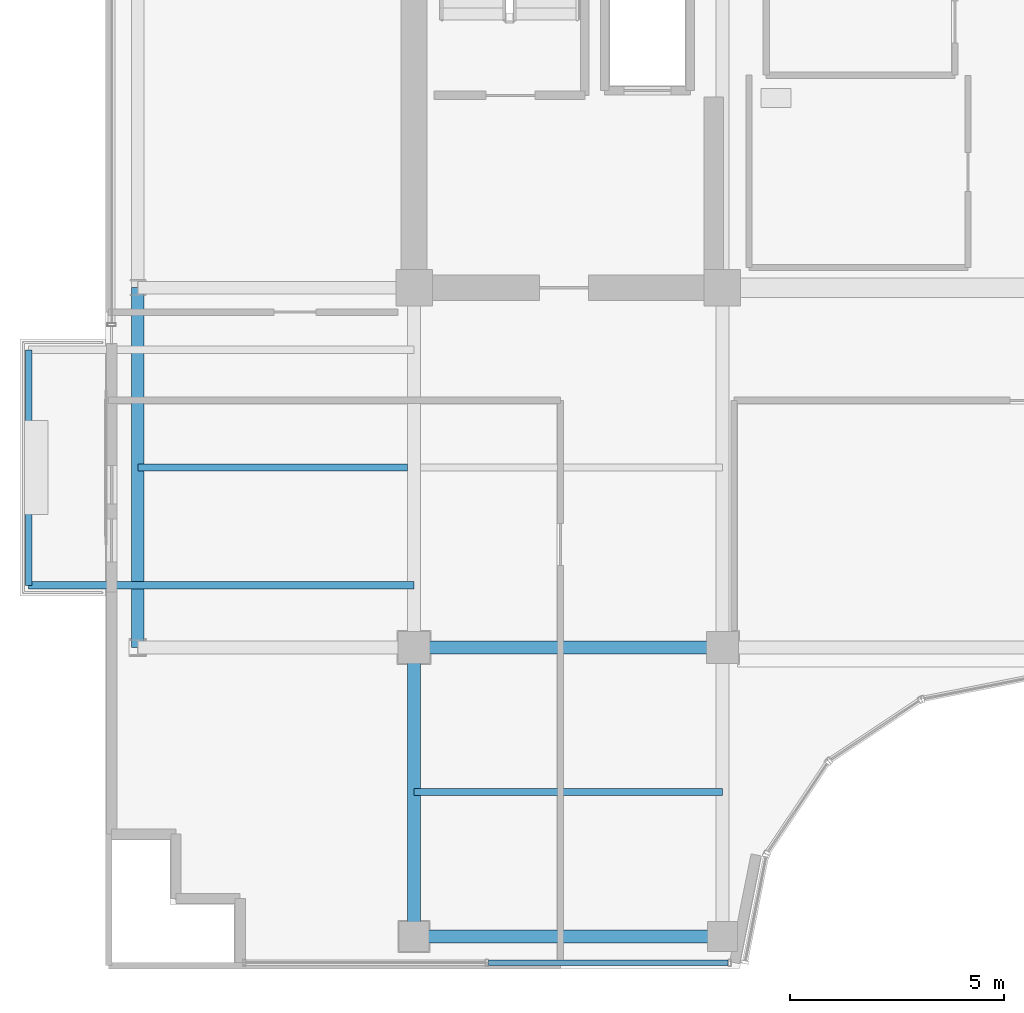
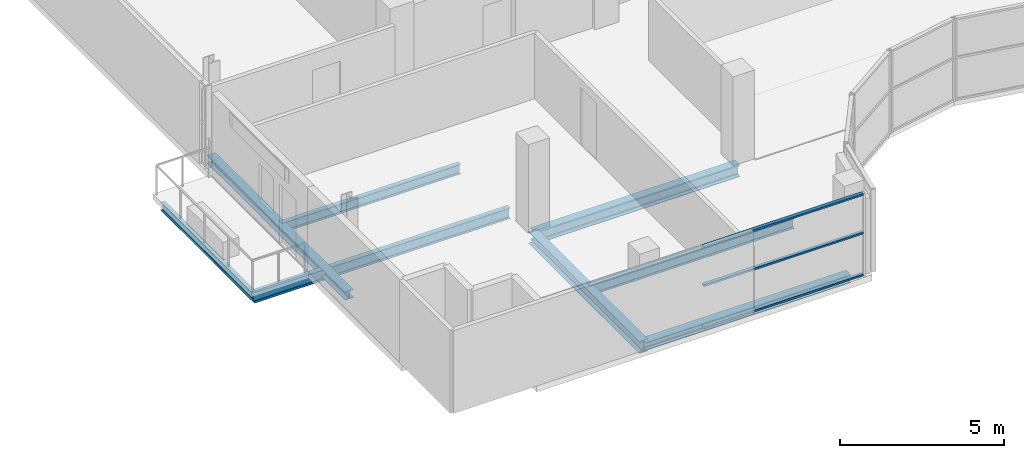
# One storey, part 3 of 28: 8 beams, 3 members, 1 element without a shape of its own.
"""IFC4 building model written with IfcOpenShell, lengths in metres."""

from ifc_helpers import new_model, si_unit, direction, frame, origin, origin_2d, place, context, subcontext, project, spatial, hollow_rectangle, i_section, extrude, source, transform, mapped, material, layer, layer_set, material_profile, profile_set, type_object, element, aggregate, save


model = new_model("IFC4")

# Units and contexts
model_context = context("Model", 3, precision=1e-05, world=origin(), true_north=direction((0.0, 1.0)))
body_context = subcontext(model_context, "Body", "Model", "MODEL_VIEW")
ifc_project = project(units=[si_unit("LENGTHUNIT", "METRE"), si_unit("AREAUNIT", "SQUARE_METRE"), si_unit("VOLUMEUNIT", "CUBIC_METRE"), si_unit("PLANEANGLEUNIT", "RADIAN"), si_unit("MASSUNIT", "GRAM", prefix="KILO")], contexts=[model_context])

# Site, building, storey
site_placement = place(None, origin())
site = spatial("IfcSite", under=ifc_project, at=site_placement, CompositionType="ELEMENT")
building_placement = place(site_placement, origin())
building = spatial("IfcBuilding", under=site, at=building_placement, Name="Zarnakvel Exchange Tower", CompositionType="ELEMENT")
storey_placement = place(building_placement, frame((0.0, 0.0, 268.300048828125)))
storey = spatial("IfcBuildingStorey", under=building, at=storey_placement, Name="L76", CompositionType="ELEMENT", Elevation=268.300048828125)

# Beams
ifc_material_1 = material(Name="Steel S355", Category="steel")
ifc_material_profile_1 = material_profile(ifc_material_1, i_section(OverallWidth=0.179931640625, OverallDepth=0.39990234375, WebThickness=0.008544921875, FlangeThickness=0.013427734375, FilletRadius=0.02099609375, at=origin_2d()))
ifc_profile_set_1 = profile_set([ifc_material_profile_1], Name="Steel S355")
beam_type_1 = type_object("IfcBeamType", Name="B-06", PredefinedType="JOIST", material=ifc_profile_set_1)
beam_1_placement = place(storey_placement, frame((-14.39990234375, -8.14990234375, -0.425048828125), z_axis=(-1.0, 0.0, 0.0), x_axis=(0.0, -1.0, 0.0)))
element("IfcBeam", 1, at=beam_1_placement, inside=storey, type_object=beam_type_1, Name="L76 Continuous West Loggia Beam S", PredefinedType="JOIST", context=body_context, shape_type="SweptSolid", body=[
    extrude(i_section(OverallWidth=0.179931640625, OverallDepth=0.39990234375, WebThickness=0.008544921875, FlangeThickness=0.013427734375, FilletRadius=0.02099609375, at=origin_2d()), origin(), (0.0, 0.0, 1.0), 9.0),
])
ifc_material_profile_2 = material_profile(ifc_material_1, i_section(OverallWidth=0.169921875, OverallDepth=0.360107421875, WebThickness=0.008056640625, FlangeThickness=0.0126953125, FilletRadius=0.01806640625, at=origin_2d()))
ifc_profile_set_2 = profile_set([ifc_material_profile_2], Name="Steel S355")
beam_type_2 = type_object("IfcBeamType", Name="B-07", PredefinedType="JOIST", material=ifc_profile_set_2)
beam_2_placement = place(storey_placement, frame((-14.39990234375, -12.97509765625, -0.405029296875), z_axis=(1.0, 0.0, 0.0), x_axis=(0.0, 1.0, 0.0)))
element("IfcBeam", 2, at=beam_2_placement, inside=storey, type_object=beam_type_2, Name="L76 Composite Floor Secondary Joist", PredefinedType="JOIST", context=body_context, shape_type="SweptSolid", body=[
    extrude(i_section(OverallWidth=0.169921875, OverallDepth=0.360107421875, WebThickness=0.008056640625, FlangeThickness=0.0126953125, FilletRadius=0.01806640625, at=origin_2d()), origin(), (0.0, 0.0, 1.0), 7.199951171875),
])
beam_3_placement = place(storey_placement, frame((-20.85009765625, -5.39990234375, -0.405029296875), z_axis=(1.0, 0.0, 0.0), x_axis=(0.0, 1.0, 0.0)))
element("IfcBeam", 3, at=beam_3_placement, inside=storey, type_object=beam_type_2, Name="L76 Composite Floor Secondary Joist", PredefinedType="JOIST", context=body_context, shape_type="SweptSolid", body=[
    extrude(i_section(OverallWidth=0.169921875, OverallDepth=0.360107421875, WebThickness=0.008056640625, FlangeThickness=0.0126953125, FilletRadius=0.01806640625, at=origin_2d()), origin(), (0.0, 0.0, 1.0), 6.300048828125),
])
ifc_material_profile_3 = material_profile(ifc_material_1, i_section(OverallWidth=0.14990234375, OverallDepth=0.300048828125, WebThickness=0.007080078125, FlangeThickness=0.0107421875, FilletRadius=0.014892578125, at=origin_2d()))
ifc_profile_set_3 = profile_set([ifc_material_profile_3], Name="Steel S355")
beam_type_3 = type_object("IfcBeamType", Name="B-08", PredefinedType="JOIST", material=ifc_profile_set_3)
beam_4_placement = place(storey_placement, frame((-23.39990234375, -8.14990234375, -0.375), z_axis=(0.0, 1.0, 0.0), x_axis=(-1.0, 0.0, 0.0)))
element("IfcBeam", 4, at=beam_4_placement, inside=storey, type_object=beam_type_3, Name="L76 West Loggia Edge Beam", PredefinedType="JOIST", context=body_context, shape_type="SweptSolid", body=[
    extrude(i_section(OverallWidth=0.14990234375, OverallDepth=0.300048828125, WebThickness=0.007080078125, FlangeThickness=0.0107421875, FilletRadius=0.014892578125, at=origin_2d()), origin(), (0.0, 0.0, 1.0), 5.5),
])
ifc_material_profile_4 = material_profile(ifc_material_1, i_section(OverallWidth=0.300048828125, OverallDepth=0.449951171875, WebThickness=0.013916015625, FlangeThickness=0.02587890625, FilletRadius=0.027099609375, at=origin_2d()))
ifc_profile_set_4 = profile_set([ifc_material_profile_4], Name="Steel S355")
beam_type_4 = type_object("IfcBeamType", Name="G-07", PredefinedType="BEAM", material=ifc_profile_set_4)
beam_5_placement = place(storey_placement, frame((-14.39990234375, -9.60009765625, -0.449951171875), z_axis=(1.0, 0.0, 0.0), x_axis=(0.0, 1.0, 0.0)))
element("IfcBeam", 5, at=beam_5_placement, inside=storey, type_object=beam_type_4, Name="L76 Tower E-W Frame Beam", PredefinedType="BEAM", context=body_context, shape_type="SweptSolid", body=[
    extrude(i_section(OverallWidth=0.300048828125, OverallDepth=0.449951171875, WebThickness=0.013916015625, FlangeThickness=0.02587890625, FilletRadius=0.027099609375, at=origin_2d()), origin(), (0.0, 0.0, 1.0), 7.199951171875),
])
beam_6_placement = place(storey_placement, frame((-14.39990234375, -16.35009765625, -0.449951171875), z_axis=(0.0, 1.0, 0.0), x_axis=(-1.0, 0.0, 0.0)))
element("IfcBeam", 6, at=beam_6_placement, inside=storey, type_object=beam_type_4, Name="L76 Tower N-S Frame Beam", PredefinedType="BEAM", context=body_context, shape_type="SweptSolid", body=[
    extrude(i_section(OverallWidth=0.300048828125, OverallDepth=0.449951171875, WebThickness=0.013916015625, FlangeThickness=0.02587890625, FilletRadius=0.027099609375, at=origin_2d()), origin(), (0.0, 0.0, 1.0), 6.75),
])
ifc_material_profile_5 = material_profile(ifc_material_1, i_section(OverallWidth=0.300048828125, OverallDepth=0.300048828125, WebThickness=0.010986328125, FlangeThickness=0.01904296875, FilletRadius=0.027099609375, at=origin_2d()))
ifc_profile_set_5 = profile_set([ifc_material_profile_5], Name="Steel S355")
beam_type_5 = type_object("IfcBeamType", Name="SP-03", PredefinedType="SPANDREL", material=ifc_profile_set_5)
beam_7_placement = place(storey_placement, frame((-14.39990234375, -16.35009765625, -0.375), z_axis=(1.0, 0.0, 0.0), x_axis=(0.0, 1.0, 0.0)))
element("IfcBeam", 7, at=beam_7_placement, inside=storey, type_object=beam_type_5, Name="L76 Tower E-W Frame Beam", PredefinedType="SPANDREL", context=body_context, shape_type="SweptSolid", body=[
    extrude(i_section(OverallWidth=0.300048828125, OverallDepth=0.300048828125, WebThickness=0.010986328125, FlangeThickness=0.01904296875, FilletRadius=0.027099609375, at=origin_2d()), origin(), (0.0, 0.0, 1.0), 7.199951171875),
])
beam_8_placement = place(storey_placement, frame((-20.85009765625, -9.60009765625, -0.375), z_axis=(0.0, 1.0, 0.0), x_axis=(-1.0, 0.0, 0.0)))
element("IfcBeam", 8, at=beam_8_placement, inside=storey, type_object=beam_type_5, Name="L76 Tower N-S Frame Beam", PredefinedType="SPANDREL", context=body_context, shape_type="SweptSolid", body=[
    extrude(i_section(OverallWidth=0.300048828125, OverallDepth=0.300048828125, WebThickness=0.010986328125, FlangeThickness=0.01904296875, FilletRadius=0.027099609375, at=origin_2d()), origin(), (0.0, 0.0, 1.0), 8.400146484375),
])

# Curtain wall, members
ifc_material_2 = material(Name="Architectural Bronze Anodised Aluminium", Category="aluminium")
ifc_layer = layer(ifc_material_2, 0.159912109375)
ifc_layer_set = layer_set([ifc_layer], Name="Architectural Bronze Anodised Aluminium")
curtain_wall_type = type_object("IfcCurtainWallType", Name="CW-06", PredefinedType="NOTDEFINED", material=ifc_layer_set)
curtain_wall_placement = place(storey_placement, origin())
curtain_wall = element("IfcCurtainWall", 9, at=curtain_wall_placement, inside=storey, type_object=curtain_wall_type, Name="L76 Curtain Wall CW-L76-NSW (CW-06)", PredefinedType="NOTDEFINED")
ifc_material_profile_6 = material_profile(ifc_material_2, hollow_rectangle(XDim=0.1298828125, YDim=0.06494140625, WallThickness=0.00390625, at=origin_2d()))
ifc_profile_set_6 = profile_set([ifc_material_profile_6], Name="Architectural Bronze Anodised Aluminium")
member_type = type_object("IfcMemberType", Name="CWT-06", PredefinedType="USERDEFINED", material=ifc_profile_set_6)
shared_shape = source(origin(), body_context, "Body", "SweptSolid", [
    extrude(hollow_rectangle(XDim=0.1298828125, YDim=0.06494140625, WallThickness=0.00390625, at=origin_2d()), origin(), (0.0, 0.0, 1.0), 5.6025390625),
])
member_1_placement = place(storey_placement, frame((-12.66748046875, -16.9599609375, 0.032470703125), z_axis=(1.0, 0.0, 0.0), x_axis=(0.0, 1.0, 0.0)))
member_1 = element("IfcMember", 10, at=member_1_placement, type_object=member_type, Name="CW-06 transom 2.1", ObjectType="TRANSOM", PredefinedType="USERDEFINED", context=body_context, shape_type="MappedRepresentation", body=[
    mapped(shared_shape, transform((0.0, 0.0, 0.0), x_axis=(1.0, 0.0, 0.0), y_axis=(0.0, 1.0, 0.0), z_axis=(0.0, 0.0, 1.0), scale=1.0)),
])
member_2_placement = place(storey_placement, frame((-12.66748046875, -16.9599609375, 1.591064453125), z_axis=(1.0, 0.0, 0.0), x_axis=(0.0, 1.0, 0.0)))
member_2 = element("IfcMember", 11, at=member_2_placement, type_object=member_type, Name="CW-06 transom 2.2", ObjectType="TRANSOM", PredefinedType="USERDEFINED", context=body_context, shape_type="MappedRepresentation", body=[
    mapped(shared_shape, transform((0.0, 0.0, 0.0), x_axis=(1.0, 0.0, 0.0), y_axis=(0.0, 1.0, 0.0), z_axis=(0.0, 0.0, 1.0), scale=1.0)),
])
member_3_placement = place(storey_placement, frame((-12.66748046875, -16.9599609375, 3.02734375), z_axis=(1.0, 0.0, 0.0), x_axis=(0.0, 1.0, 0.0)))
member_3 = element("IfcMember", 12, at=member_3_placement, type_object=member_type, Name="CW-06 transom 2.3", ObjectType="TRANSOM", PredefinedType="USERDEFINED", context=body_context, shape_type="MappedRepresentation", body=[
    mapped(shared_shape, transform((0.0, 0.0, 0.0), x_axis=(1.0, 0.0, 0.0), y_axis=(0.0, 1.0, 0.0), z_axis=(0.0, 0.0, 1.0), scale=1.0)),
])
aggregate(curtain_wall, [member_1, member_2, member_3])

save(model, "model.ifc")
